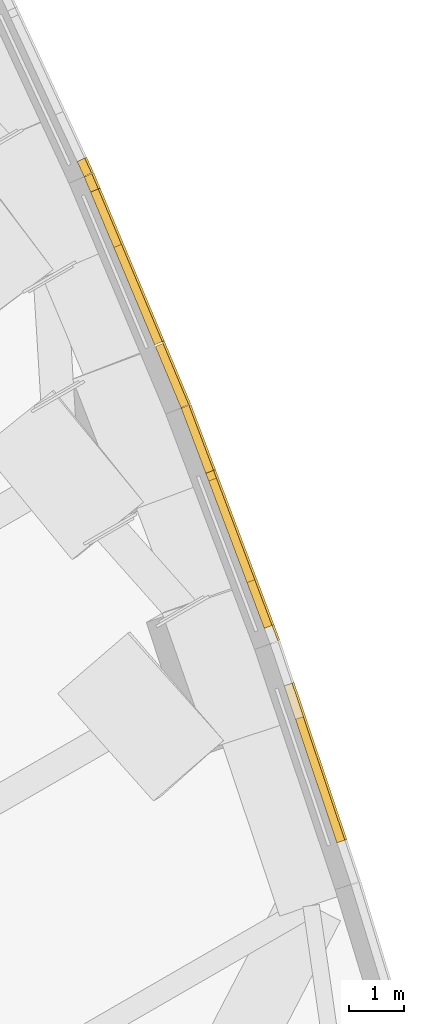
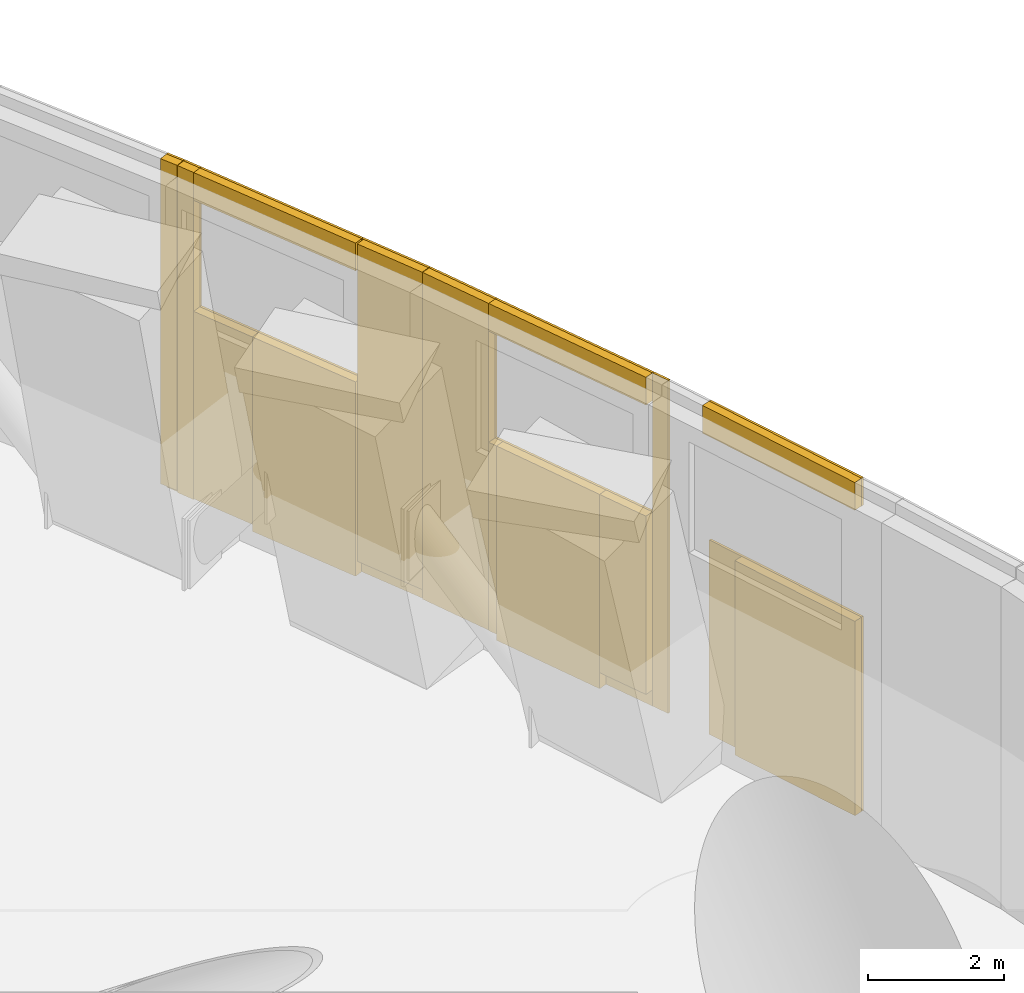
# One storey, part 22 of 25: 24 coverings.
"""IFC4 building model written with IfcOpenShell, lengths in metres."""

from ifc_helpers import new_model, si_unit, direction, frame, origin, origin_2d, place, context, subcontext, project, spatial, rectangle, extrude, material, layer, layer_set, type_object, element, save


model = new_model("IFC4")

# Units and contexts
model_context = context("Model", 3, precision=1e-05, world=origin(), true_north=direction((0.0, 1.0)))
body_context = subcontext(model_context, "Body", "Model", "MODEL_VIEW")
ifc_project = project(units=[si_unit("LENGTHUNIT", "METRE"), si_unit("AREAUNIT", "SQUARE_METRE"), si_unit("VOLUMEUNIT", "CUBIC_METRE"), si_unit("PLANEANGLEUNIT", "RADIAN"), si_unit("MASSUNIT", "GRAM", prefix="KILO")], contexts=[model_context])

# Site, building, storey
site_placement = place(None, origin())
site = spatial("IfcSite", under=ifc_project, at=site_placement, CompositionType="ELEMENT")
building_placement = place(site_placement, origin())
building = spatial("IfcBuilding", under=site, at=building_placement, Name="Trefoil Bronze Tower", CompositionType="ELEMENT")
storey_placement = place(building_placement, frame((0.0, 0.0, 178.699951171875)))
storey = spatial("IfcBuildingStorey", under=building, at=storey_placement, Name="L41", CompositionType="ELEMENT", Elevation=178.699951171875)

# Coverings
ifc_material_1 = material(Name="Bronze-finish aluminium rainscreen panel on aluminium rails", Category="aluminium")
ifc_layer_1 = layer(ifc_material_1, 0.0400390625)
ifc_layer_set_1 = layer_set([ifc_layer_1], Name="Bronze cladding panel 40")
covering_type_1 = type_object("IfcCoveringType", Name="Bronze cladding panel 40", PredefinedType="CLADDING", material=ifc_layer_set_1)
covering_1_placement = place(storey_placement, frame((33.29052734375, -9.431884765625, 0.0), z_axis=(0.0, 0.0, 1.0), x_axis=(-0.31840374947, 0.947955195314, 0.0)))
element("IfcCovering", 1, at=covering_1_placement, inside=storey, type_object=covering_type_1, Name="Cladding panel L41 Face 2.2 piece 3", PredefinedType="CLADDING", context=body_context, shape_type="SweptSolid", body=[
    extrude(rectangle(XDim=3.0, YDim=0.0400390625, at=origin_2d()), origin(), (0.0, 0.0, 1.0), 3.5),
])
covering_2_placement = place(storey_placement, frame((33.29052734375, -9.431884765625, 5.5), z_axis=(0.0, 0.0, 1.0), x_axis=(-0.31840374947, 0.947955195314, 0.0)))
element("IfcCovering", 2, at=covering_2_placement, inside=storey, type_object=covering_type_1, Name="Cladding panel L41 Face 2.2 piece 4", PredefinedType="CLADDING", context=body_context, shape_type="SweptSolid", body=[
    extrude(rectangle(XDim=3.0, YDim=0.0400390625, at=origin_2d()), origin(), (0.0, 0.0, 1.0), 0.5),
])
covering_3_placement = place(storey_placement, frame((32.502685546875, -7.104248046875, 0.0), z_axis=(0.0, 0.0, 1.0), x_axis=(-0.352919739789, 0.935653598971, 0.0)))
element("IfcCovering", 3, at=covering_3_placement, inside=storey, type_object=covering_type_1, Name="Cladding panel L41 Face 2.3 piece 1", PredefinedType="CLADDING", context=body_context, shape_type="SweptSolid", body=[
    extrude(rectangle(XDim=0.300048828125, YDim=0.0400390625, at=origin_2d()), origin(), (0.0, 0.0, 1.0), 6.0),
])
covering_4_placement = place(storey_placement, frame((31.168701171875, -3.5673828125, 0.0), z_axis=(0.0, 0.0, 1.0), x_axis=(-0.352919739789, 0.935653598971, 0.0)))
element("IfcCovering", 4, at=covering_4_placement, inside=storey, type_object=covering_type_1, Name="Cladding panel L41 Face 2.3 piece 2", PredefinedType="CLADDING", context=body_context, shape_type="SweptSolid", body=[
    extrude(rectangle(XDim=1.260498046875, YDim=0.0400390625, at=origin_2d()), origin(), (0.0, 0.0, 1.0), 6.0),
])
covering_5_placement = place(storey_placement, frame((31.92041015625, -5.560546875, 0.0), z_axis=(0.0, 0.0, 1.0), x_axis=(-0.352919739789, 0.935653598971, 0.0)))
element("IfcCovering", 5, at=covering_5_placement, inside=storey, type_object=covering_type_1, Name="Cladding panel L41 Face 2.3 piece 3", PredefinedType="CLADDING", context=body_context, shape_type="SweptSolid", body=[
    extrude(rectangle(XDim=3.0, YDim=0.0400390625, at=origin_2d()), origin(), (0.0, 0.0, 1.0), 3.5),
])
covering_6_placement = place(storey_placement, frame((31.92041015625, -5.560546875, 5.5), z_axis=(0.0, 0.0, 1.0), x_axis=(-0.352919739789, 0.935653598971, 0.0)))
element("IfcCovering", 6, at=covering_6_placement, inside=storey, type_object=covering_type_1, Name="Cladding panel L41 Face 2.3 piece 4", PredefinedType="CLADDING", context=body_context, shape_type="SweptSolid", body=[
    extrude(rectangle(XDim=3.0, YDim=0.0400390625, at=origin_2d()), origin(), (0.0, 0.0, 1.0), 0.5),
])
covering_7_placement = place(storey_placement, frame((30.702880859375, -2.39697265625, 0.0), z_axis=(0.0, 0.0, 1.0), x_axis=(-0.386759234303, 0.922180727776, 0.0)))
element("IfcCovering", 7, at=covering_7_placement, inside=storey, type_object=covering_type_1, Name="Cladding panel L41 Face 2.4 piece 1", PredefinedType="CLADDING", context=body_context, shape_type="SweptSolid", body=[
    extrude(rectangle(XDim=1.236328125, YDim=0.0400390625, at=origin_2d()), origin(), (0.0, 0.0, 1.0), 6.0),
])
covering_8_placement = place(storey_placement, frame((29.245361328125, 1.077880859375, 0.0), z_axis=(0.0, 0.0, 1.0), x_axis=(-0.386759234303, 0.922180727776, 0.0)))
element("IfcCovering", 8, at=covering_8_placement, inside=storey, type_object=covering_type_1, Name="Cladding panel L41 Face 2.4 piece 2", PredefinedType="CLADDING", context=body_context, shape_type="SweptSolid", body=[
    extrude(rectangle(XDim=0.300048828125, YDim=0.0400390625, at=origin_2d()), origin(), (0.0, 0.0, 1.0), 6.0),
])
covering_9_placement = place(storey_placement, frame((29.883544921875, -0.443603515625, 0.0), z_axis=(0.0, 0.0, 1.0), x_axis=(-0.386759234303, 0.922180727776, 0.0)))
element("IfcCovering", 9, at=covering_9_placement, inside=storey, type_object=covering_type_1, Name="Cladding panel L41 Face 2.4 piece 3", PredefinedType="CLADDING", context=body_context, shape_type="SweptSolid", body=[
    extrude(rectangle(XDim=3.0, YDim=0.0400390625, at=origin_2d()), origin(), (0.0, 0.0, 1.0), 3.5),
])
covering_10_placement = place(storey_placement, frame((29.883544921875, -0.443603515625, 5.5), z_axis=(0.0, 0.0, 1.0), x_axis=(-0.386759234303, 0.922180727776, 0.0)))
element("IfcCovering", 10, at=covering_10_placement, inside=storey, type_object=covering_type_1, Name="Cladding panel L41 Face 2.4 piece 4", PredefinedType="CLADDING", context=body_context, shape_type="SweptSolid", body=[
    extrude(rectangle(XDim=3.0, YDim=0.0400390625, at=origin_2d()), origin(), (0.0, 0.0, 1.0), 0.5),
])
covering_11_placement = place(storey_placement, frame((29.119873046875, 1.363037109375, 0.0), z_axis=(0.0, 0.0, 1.0), x_axis=(-0.419932995776, 0.907555110756, 0.0)))
element("IfcCovering", 11, at=covering_11_placement, inside=storey, type_object=covering_type_1, Name="Cladding panel L41 Face 2.5 piece 1", PredefinedType="CLADDING", context=body_context, shape_type="SweptSolid", body=[
    extrude(rectangle(XDim=0.300048828125, YDim=0.0400390625, at=origin_2d()), origin(), (0.0, 0.0, 1.0), 6.0),
])
ifc_material_2 = material(Name="Non-combustible mineral wool slab", Category="insulation")
ifc_layer_2 = layer(ifc_material_2, 0.14990234375)
ifc_layer_set_2 = layer_set([ifc_layer_2], Name="Rainscreen insulation 150")
covering_type_2 = type_object("IfcCoveringType", Name="Rainscreen insulation 150", PredefinedType="INSULATION", material=ifc_layer_set_2)
covering_12_placement = place(storey_placement, frame((33.30224609375, -9.765380859375, 0.0), z_axis=(0.0, 0.0, 1.0), x_axis=(-0.31840374947, 0.947955195314, 0.0)))
element("IfcCovering", 12, at=covering_12_placement, inside=storey, type_object=covering_type_2, Name="Insulation L41 Face 2.2 piece 3", PredefinedType="INSULATION", context=body_context, shape_type="SweptSolid", body=[
    extrude(rectangle(XDim=2.360107421875, YDim=0.14990234375, at=origin_2d()), origin(), (0.0, 0.0, 1.0), 3.5),
])
covering_13_placement = place(storey_placement, frame((33.200439453125, -9.462158203125, 5.5), z_axis=(0.0, 0.0, 1.0), x_axis=(-0.31840374947, 0.947955195314, 0.0)))
element("IfcCovering", 13, at=covering_13_placement, inside=storey, type_object=covering_type_2, Name="Insulation L41 Face 2.2 piece 4", PredefinedType="INSULATION", context=body_context, shape_type="SweptSolid", body=[
    extrude(rectangle(XDim=3.0, YDim=0.14990234375, at=origin_2d()), origin(), (0.0, 0.0, 1.0), 0.5),
])
covering_14_placement = place(storey_placement, frame((31.079833984375, -3.600830078125, 0.115234375), z_axis=(0.0, 0.0, 1.0), x_axis=(-0.352919739789, 0.935653598971, 0.0)))
element("IfcCovering", 14, at=covering_14_placement, inside=storey, type_object=covering_type_2, Name="Insulation L41 Face 2.3 piece 2", PredefinedType="INSULATION", context=body_context, shape_type="SweptSolid", body=[
    extrude(rectangle(XDim=1.260498046875, YDim=0.14990234375, at=origin_2d()), origin(), (0.0, 0.0, 1.0), 5.885009765625),
])
covering_15_placement = place(storey_placement, frame((32.204833984375, -6.58349609375, 0.2900390625), z_axis=(0.0, 0.0, 1.0), x_axis=(-0.352919739789, 0.935653598971, 0.0)))
element("IfcCovering", 15, at=covering_15_placement, inside=storey, type_object=covering_type_2, Name="Insulation L41 Face 2.3 piece 3", PredefinedType="INSULATION", context=body_context, shape_type="SweptSolid", body=[
    extrude(rectangle(XDim=0.885009765625, YDim=0.14990234375, at=origin_2d()), origin(), (0.0, 0.0, 1.0), 3.2099609375),
])
covering_16_placement = place(storey_placement, frame((31.701904296875, -5.250244140625, 0.0), z_axis=(0.0, 0.0, 1.0), x_axis=(-0.352919739789, 0.935653598971, 0.0)))
element("IfcCovering", 16, at=covering_16_placement, inside=storey, type_object=covering_type_2, Name="Insulation L41 Face 2.3 piece 3 part 2", PredefinedType="INSULATION", context=body_context, shape_type="SweptSolid", body=[
    extrude(rectangle(XDim=1.965087890625, YDim=0.14990234375, at=origin_2d()), origin(), (0.0, 0.0, 1.0), 3.5),
])
covering_17_placement = place(storey_placement, frame((31.32861328125, -4.2607421875, 0.10986328125), z_axis=(0.0, 0.0, 1.0), x_axis=(-0.352919739789, 0.935653598971, 0.0)))
element("IfcCovering", 17, at=covering_17_placement, inside=storey, type_object=covering_type_2, Name="Insulation L41 Face 2.3 piece 3 part 3", PredefinedType="INSULATION", context=body_context, shape_type="SweptSolid", body=[
    extrude(rectangle(XDim=0.14990234375, YDim=0.14990234375, at=origin_2d()), origin(), (0.0, 0.0, 1.0), 3.389892578125),
])
covering_18_placement = place(storey_placement, frame((31.83154296875, -5.593994140625, 5.5), z_axis=(0.0, 0.0, 1.0), x_axis=(-0.352919739789, 0.935653598971, 0.0)))
element("IfcCovering", 18, at=covering_18_placement, inside=storey, type_object=covering_type_2, Name="Insulation L41 Face 2.3 piece 4", PredefinedType="INSULATION", context=body_context, shape_type="SweptSolid", body=[
    extrude(rectangle(XDim=3.0, YDim=0.14990234375, at=origin_2d()), origin(), (0.0, 0.0, 1.0), 0.5),
])
covering_19_placement = place(storey_placement, frame((30.621337890625, -2.447998046875, 0.28515625), z_axis=(0.0, 0.0, 1.0), x_axis=(-0.386759234303, 0.922180727776, 0.0)))
element("IfcCovering", 19, at=covering_19_placement, inside=storey, type_object=covering_type_2, Name="Insulation L41 Face 2.4 piece 1", PredefinedType="INSULATION", context=body_context, shape_type="SweptSolid", body=[
    extrude(rectangle(XDim=1.205078125, YDim=0.14990234375, at=origin_2d()), origin(), (0.0, 0.0, 1.0), 5.715087890625),
])
covering_20_placement = place(storey_placement, frame((29.157958984375, 1.041259765625, 0.10986328125), z_axis=(0.0, 0.0, 1.0), x_axis=(-0.386759234303, 0.922180727776, 0.0)))
element("IfcCovering", 20, at=covering_20_placement, inside=storey, type_object=covering_type_2, Name="Insulation L41 Face 2.4 piece 2", PredefinedType="INSULATION", context=body_context, shape_type="SweptSolid", body=[
    extrude(rectangle(XDim=0.300048828125, YDim=0.14990234375, at=origin_2d()), origin(), (0.0, 0.0, 1.0), 5.889892578125),
])
covering_21_placement = place(storey_placement, frame((30.00634765625, -0.98193359375, 0.0), z_axis=(0.0, 0.0, 1.0), x_axis=(-0.386759234303, 0.922180727776, 0.0)))
element("IfcCovering", 21, at=covering_21_placement, inside=storey, type_object=covering_type_2, Name="Insulation L41 Face 2.4 piece 3", PredefinedType="INSULATION", context=body_context, shape_type="SweptSolid", body=[
    extrude(rectangle(XDim=1.912109375, YDim=0.14990234375, at=origin_2d()), origin(), (0.0, 0.0, 1.0), 3.5),
])
covering_22_placement = place(storey_placement, frame((29.42626953125, 0.4013671875, 0.125), z_axis=(0.0, 0.0, 1.0), x_axis=(-0.386759234303, 0.922180727776, 0.0)))
element("IfcCovering", 22, at=covering_22_placement, inside=storey, type_object=covering_type_2, Name="Insulation L41 Face 2.4 piece 3 part 2", PredefinedType="INSULATION", context=body_context, shape_type="SweptSolid", body=[
    extrude(rectangle(XDim=1.087890625, YDim=0.14990234375, at=origin_2d()), origin(), (0.0, 0.0, 1.0), 3.375),
])
covering_23_placement = place(storey_placement, frame((29.7958984375, -0.48046875, 5.5), z_axis=(0.0, 0.0, 1.0), x_axis=(-0.386759234303, 0.922180727776, 0.0)))
element("IfcCovering", 23, at=covering_23_placement, inside=storey, type_object=covering_type_2, Name="Insulation L41 Face 2.4 piece 4", PredefinedType="INSULATION", context=body_context, shape_type="SweptSolid", body=[
    extrude(rectangle(XDim=3.0, YDim=0.14990234375, at=origin_2d()), origin(), (0.0, 0.0, 1.0), 0.5),
])
covering_24_placement = place(storey_placement, frame((29.03369140625, 1.3232421875, 0.14501953125), z_axis=(0.0, 0.0, 1.0), x_axis=(-0.419932995776, 0.907555110756, 0.0)))
element("IfcCovering", 24, at=covering_24_placement, inside=storey, type_object=covering_type_2, Name="Insulation L41 Face 2.5 piece 1", PredefinedType="INSULATION", context=body_context, shape_type="SweptSolid", body=[
    extrude(rectangle(XDim=0.300048828125, YDim=0.14990234375, at=origin_2d()), origin(), (0.0, 0.0, 1.0), 5.85498046875),
])

save(model, "model.ifc")
